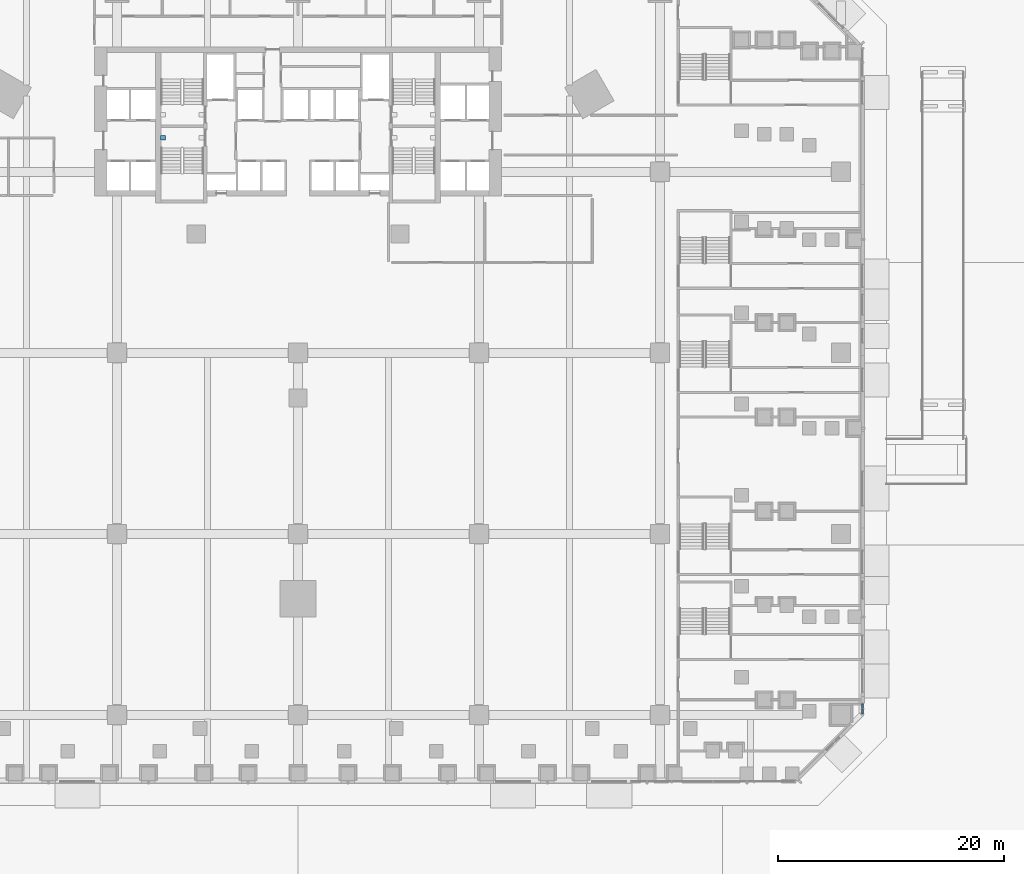
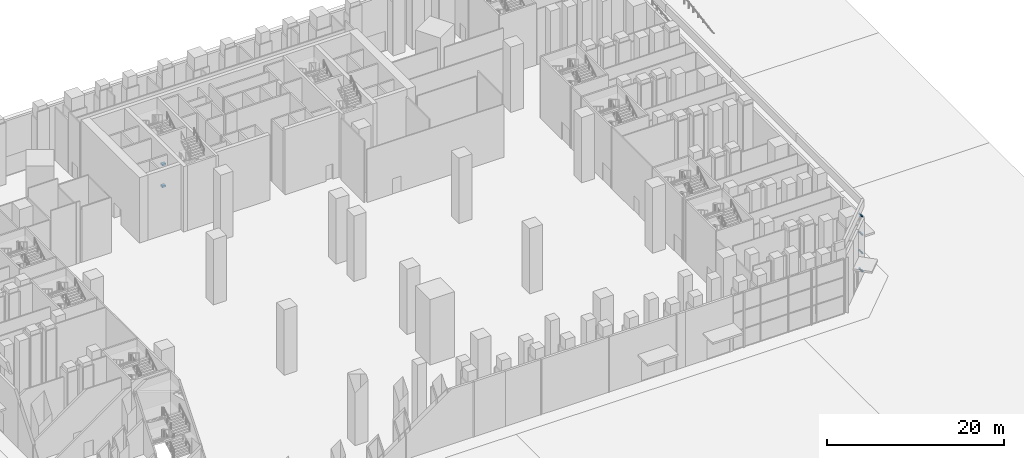
# One storey, part 11 of 51: 8 members, 2 beams, 1 element without a shape of its own.
"""IFC4 building model written with IfcOpenShell, lengths in metres."""

from ifc_helpers import new_model, si_unit, direction, frame, origin, origin_2d, place, context, subcontext, project, spatial, rectangle, extrude, material, material_profile, profile_set, type_object, element, aggregate, save


model = new_model("IFC4")

# Units and contexts
model_context = context("Model", 3, precision=1e-05, world=origin(), true_north=direction((0.0, 1.0)))
body_context = subcontext(model_context, "Body", "Model", "MODEL_VIEW")
ifc_project = project(units=[si_unit("LENGTHUNIT", "METRE"), si_unit("AREAUNIT", "SQUARE_METRE"), si_unit("VOLUMEUNIT", "CUBIC_METRE"), si_unit("PLANEANGLEUNIT", "RADIAN"), si_unit("MASSUNIT", "GRAM", prefix="KILO")], contexts=[model_context])

# Site, building, storey
site_placement = place(None, origin())
site = spatial("IfcSite", under=ifc_project, at=site_placement, CompositionType="ELEMENT")
building_placement = place(site_placement, origin())
building = spatial("IfcBuilding", under=site, at=building_placement, Name="Calabash Gate Tower", CompositionType="ELEMENT")
storey_placement = place(building_placement, origin())
storey = spatial("IfcBuildingStorey", under=building, at=storey_placement, Name="L00", CompositionType="ELEMENT", Elevation=0.0)

# Beams
ifc_material_1 = material(Name="Concrete C60/75", Category="concrete")
ifc_material_profile_1 = material_profile(ifc_material_1, rectangle(XDim=0.39990234375, YDim=0.25, at=origin_2d()))
ifc_profile_set_1 = profile_set([ifc_material_profile_1], Name="Concrete C60/75")
beam_type = type_object("IfcBeamType", Name="Landing corbel RC 400x250 Concrete C60/75", PredefinedType="BEAM", material=ifc_profile_set_1)
for number, where, z_axis, x_axis, name in (
    (1, (-12.14990234375, 11.0029296875, 2.674072265625), (1.0, 0.0, 0.0), (0.0, 1.0, 0.0), "Landing corbel ST2-L00/L2 west"),
    (2, (-12.14990234375, 11.0029296875, 5.674072265625), (1.0, 0.0, 0.0), (0.0, 1.0, 0.0), "Landing corbel ST2-L00/L4 west"),
):
    element("IfcBeam", number, at=place(storey_placement, frame(where, z_axis=z_axis, x_axis=x_axis)), inside=storey, type_object=beam_type, Name=name, PredefinedType="BEAM", context=body_context, shape_type="SweptSolid", body=[
        extrude(rectangle(XDim=0.39990234375, YDim=0.25, at=origin_2d()), origin(), (0.0, 0.0, 1.0), 0.449951171875),
    ])

# Curtain wall, members
ifc_material_2 = material(Name="Anodised aluminium frame, bronze finish, clear laminated impact-rated glazing", Category="aluminium")
curtain_wall_type = type_object("IfcCurtainWallType", Name="Curtain wall CWF podium shopfront", PredefinedType="NOTDEFINED", material=ifc_material_2)
curtain_wall_placement = place(storey_placement, origin())
curtain_wall = element("IfcCurtainWall", 3, at=curtain_wall_placement, inside=storey, type_object=curtain_wall_type, Name="Curtain wall CWF L00 2.0.0", PredefinedType="NOTDEFINED")
ifc_material_3 = material(Name="Anodised aluminium frame, bronze finish", Category="aluminium")
ifc_material_profile_2 = material_profile(ifc_material_3, rectangle(XDim=0.14990234375, YDim=0.06494140625, at=origin_2d()))
ifc_profile_set_2 = profile_set([ifc_material_profile_2], Name="Anodised aluminium frame, bronze finish")
member_type = type_object("IfcMemberType", Name="Transom CWF 65x150", PredefinedType="USERDEFINED", material=ifc_profile_set_2)
member_1_placement = place(storey_placement, frame((49.89990234375, -39.885009765625, 0.032470703125), z_axis=(0.0, 1.0, 0.0), x_axis=(-1.0, 0.0, 0.0)))
member_1 = element("IfcMember", 4, at=member_1_placement, type_object=member_type, Name="CWF transom 1.1", ObjectType="TRANSOM", PredefinedType="USERDEFINED", context=body_context, shape_type="SweptSolid", body=[
    extrude(rectangle(XDim=0.14990234375, YDim=0.06494140625, at=origin_2d()), origin(), (0.0, 0.0, 1.0), 0.392578125),
])
member_2_placement = place(storey_placement, frame((49.89990234375, -39.885009765625, 2.533447265625), z_axis=(0.0, 1.0, 0.0), x_axis=(-1.0, 0.0, 0.0)))
member_2 = element("IfcMember", 5, at=member_2_placement, type_object=member_type, Name="CWF transom 1.2", ObjectType="TRANSOM", PredefinedType="USERDEFINED", context=body_context, shape_type="SweptSolid", body=[
    extrude(rectangle(XDim=0.14990234375, YDim=0.06494140625, at=origin_2d()), origin(), (0.0, 0.0, 1.0), 0.392578125),
])
member_3_placement = place(storey_placement, frame((49.89990234375, -39.885009765625, 5.066650390625), z_axis=(0.0, 1.0, 0.0), x_axis=(-1.0, 0.0, 0.0)))
member_3 = element("IfcMember", 6, at=member_3_placement, type_object=member_type, Name="CWF transom 1.3", ObjectType="TRANSOM", PredefinedType="USERDEFINED", context=body_context, shape_type="SweptSolid", body=[
    extrude(rectangle(XDim=0.14990234375, YDim=0.06494140625, at=origin_2d()), origin(), (0.0, 0.0, 1.0), 0.392578125),
])
member_4_placement = place(storey_placement, frame((49.89990234375, -39.885009765625, 7.5673828125), z_axis=(0.0, 1.0, 0.0), x_axis=(-1.0, 0.0, 0.0)))
member_4 = element("IfcMember", 7, at=member_4_placement, type_object=member_type, Name="CWF transom 1.4", ObjectType="TRANSOM", PredefinedType="USERDEFINED", context=body_context, shape_type="SweptSolid", body=[
    extrude(rectangle(XDim=0.14990234375, YDim=0.06494140625, at=origin_2d()), origin(), (0.0, 0.0, 1.0), 0.392578125),
])
member_5_placement = place(storey_placement, frame((49.89990234375, -39.427490234375, 0.032470703125), z_axis=(0.0, 1.0, 0.0), x_axis=(-1.0, 0.0, 0.0)))
member_5 = element("IfcMember", 8, at=member_5_placement, type_object=member_type, Name="CWF transom 2.1", ObjectType="TRANSOM", PredefinedType="USERDEFINED", context=body_context, shape_type="SweptSolid", body=[
    extrude(rectangle(XDim=0.14990234375, YDim=0.06494140625, at=origin_2d()), origin(), (0.0, 0.0, 1.0), 0.392578125),
])
member_6_placement = place(storey_placement, frame((49.89990234375, -39.427490234375, 2.533447265625), z_axis=(0.0, 1.0, 0.0), x_axis=(-1.0, 0.0, 0.0)))
member_6 = element("IfcMember", 9, at=member_6_placement, type_object=member_type, Name="CWF transom 2.2", ObjectType="TRANSOM", PredefinedType="USERDEFINED", context=body_context, shape_type="SweptSolid", body=[
    extrude(rectangle(XDim=0.14990234375, YDim=0.06494140625, at=origin_2d()), origin(), (0.0, 0.0, 1.0), 0.392578125),
])
member_7_placement = place(storey_placement, frame((49.89990234375, -39.427490234375, 5.066650390625), z_axis=(0.0, 1.0, 0.0), x_axis=(-1.0, 0.0, 0.0)))
member_7 = element("IfcMember", 10, at=member_7_placement, type_object=member_type, Name="CWF transom 2.3", ObjectType="TRANSOM", PredefinedType="USERDEFINED", context=body_context, shape_type="SweptSolid", body=[
    extrude(rectangle(XDim=0.14990234375, YDim=0.06494140625, at=origin_2d()), origin(), (0.0, 0.0, 1.0), 0.392578125),
])
member_8_placement = place(storey_placement, frame((49.89990234375, -39.427490234375, 7.5673828125), z_axis=(0.0, 1.0, 0.0), x_axis=(-1.0, 0.0, 0.0)))
member_8 = element("IfcMember", 11, at=member_8_placement, type_object=member_type, Name="CWF transom 2.4", ObjectType="TRANSOM", PredefinedType="USERDEFINED", context=body_context, shape_type="SweptSolid", body=[
    extrude(rectangle(XDim=0.14990234375, YDim=0.06494140625, at=origin_2d()), origin(), (0.0, 0.0, 1.0), 0.392578125),
])
aggregate(curtain_wall, [member_1, member_2, member_3, member_4, member_5, member_6, member_7, member_8])

save(model, "model.ifc")
